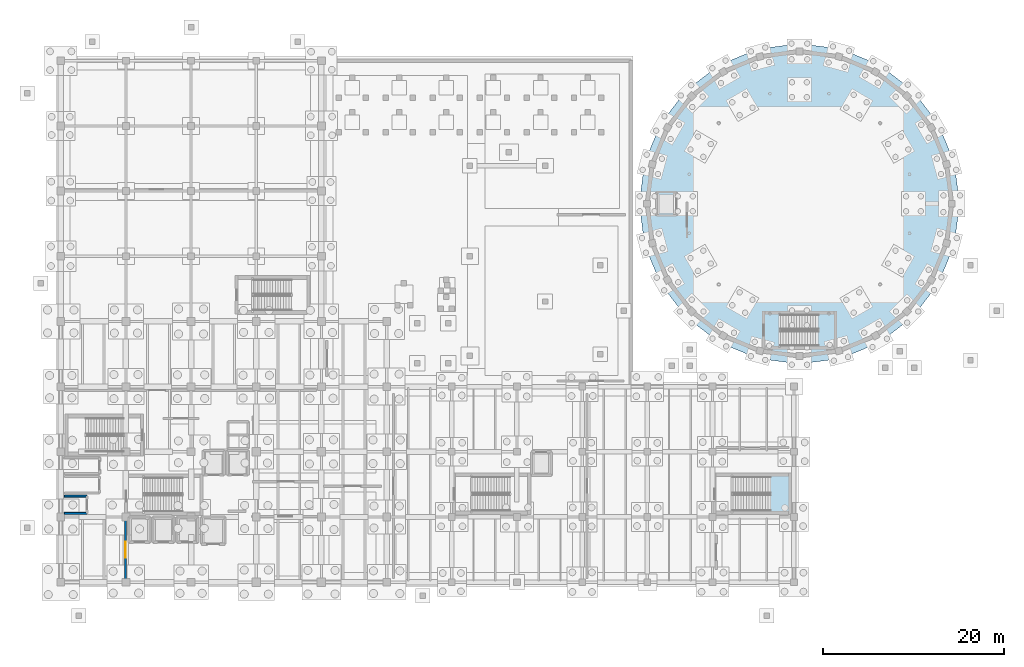
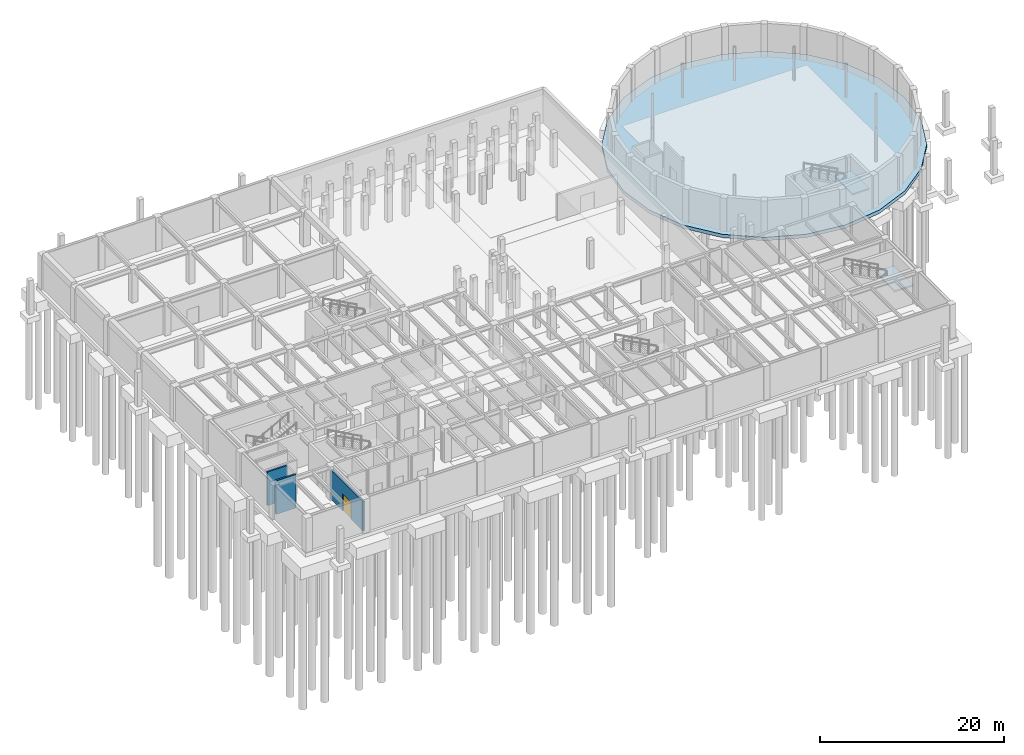
# One storey, part 12 of 26: 3 slabs, 3 walls, 1 door, 1 opening, 2 elements without a shape of their own.
"""IFC4 building model written with IfcOpenShell, lengths in metres."""

from ifc_helpers import new_model, si_unit, direction, frame, frame_2d, origin, place, context, subcontext, project, spatial, polyline, rectangle, outline, extrude, material, layer, layer_set, type_object, element, fill, aggregate, save


model = new_model("IFC4")

# Units and contexts
model_context = context("Model", 3, precision=1e-05, world=origin(), true_north=direction((0.0, 1.0)))
body_context = subcontext(model_context, "Body", "Model", "MODEL_VIEW")
ifc_project = project(units=[si_unit("LENGTHUNIT", "METRE"), si_unit("AREAUNIT", "SQUARE_METRE"), si_unit("VOLUMEUNIT", "CUBIC_METRE"), si_unit("PLANEANGLEUNIT", "RADIAN"), si_unit("MASSUNIT", "GRAM", prefix="KILO")], contexts=[model_context])

# Site, building, storey
site_placement = place(None, origin())
site = spatial("IfcSite", under=ifc_project, at=site_placement, CompositionType="ELEMENT")
building_placement = place(site_placement, origin())
building = spatial("IfcBuilding", under=site, at=building_placement, Name="Kandorven Conservatory and Botanical Research Centre", CompositionType="ELEMENT")
storey_placement = place(building_placement, frame((0.0, 0.0, -4.800048828125)))
storey = spatial("IfcBuildingStorey", under=building, at=storey_placement, Name="B01", CompositionType="ELEMENT", Elevation=-4.800048828125)

# Slab
ifc_material_1 = material(Name="Concrete C32/40 (M40)", Category="concrete")
ifc_layer_1 = layer(ifc_material_1, 0.449951171875)
ifc_layer_set_1 = layer_set([ifc_layer_1], Name="Concrete C32/40 (M40)")
slab_type_1 = type_object("IfcSlabType", Name="Slab_BS-03", PredefinedType="BASESLAB", material=ifc_layer_set_1)
slab_1_placement = place(storey_placement, frame((0.0, 0.0, -0.449951171875)))
element("IfcSlab", 1, at=slab_1_placement, inside=storey, type_object=slab_type_1, Name="Basement B01 conservatory drum base slab", PredefinedType="BASESLAB", context=body_context, shape_type="SweptSolid", body=[
    extrude(outline(polyline([(105.300048828125, 47.800048828125), (104.697021484375, 52.381103515625), (102.9287109375, 56.64990234375), (100.11572265625, 60.31591796875), (96.449951171875, 63.128662109375), (92.18115234375, 64.89697265625), (87.60009765625, 65.5), (83.018798828125, 64.89697265625), (78.75, 63.128662109375), (75.084228515625, 60.31591796875), (72.271484375, 56.64990234375), (70.503173828125, 52.381103515625), (69.89990234375, 47.800048828125), (70.503173828125, 43.218994140625), (72.271484375, 38.949951171875), (75.084228515625, 35.2841796875), (78.75, 32.471435546875), (83.018798828125, 30.703125), (87.60009765625, 30.10009765625), (92.18115234375, 30.703125), (96.449951171875, 32.471435546875), (100.11572265625, 35.2841796875), (102.9287109375, 38.949951171875), (104.697021484375, 43.218994140625), (105.300048828125, 47.800048828125)])), origin(), (0.0, 0.0, 1.0), 0.449951171875),
])

# Stair, slab
ifc_material_2 = material(Name="Concrete C32/40 (M40)", Category="concrete")
stair_type_1 = type_object("IfcStairType", Name="Stair_1820", PredefinedType="HALF_TURN_STAIR", material=ifc_material_2)
stair_1_placement = place(storey_placement, origin())
stair_1 = element("IfcStair", 2, at=stair_1_placement, inside=storey, type_object=stair_type_1, Name="B01 Visitor Wing Stair ST-V3B", PredefinedType="HALF_TURN_STAIR")
ifc_material_3 = material(Name="Concrete C32/40 (M40)", Category="concrete")
ifc_layer_2 = layer(ifc_material_3, 0.199951171875)
ifc_layer_set_2 = layer_set([ifc_layer_2], Name="Concrete C32/40 (M40)")
slab_type_2 = type_object("IfcSlabType", Name="StairLanding_200", PredefinedType="LANDING", material=ifc_layer_set_2)
slab_2_placement = place(storey_placement, frame((0.0, 0.0, 2.199951171875)))
slab_2 = element("IfcSlab", 3, at=slab_2_placement, type_object=slab_type_2, Name="ST-V3B landing 1", PredefinedType="LANDING", context=body_context, shape_type="SweptSolid", body=[
    extrude(outline(polyline([(84.259521484375, 13.610107421875), (86.6201171875, 13.610107421875), (86.6201171875, 17.8798828125), (84.259521484375, 17.8798828125), (84.259521484375, 13.610107421875)])), origin(), (0.0, 0.0, 1.0), 0.2001953125),
])
aggregate(stair_1, [slab_2])

ifc_material_4 = material(Name="Concrete C32/40 (M40)", Category="concrete")
stair_type_2 = type_object("IfcStairType", Name="Stair_1650", PredefinedType="HALF_TURN_STAIR", material=ifc_material_4)
stair_2_placement = place(storey_placement, origin())
stair_2 = element("IfcStair", 4, at=stair_2_placement, inside=storey, type_object=stair_type_2, Name="B01 Conservatory Canopy Stair ST-V1", PredefinedType="HALF_TURN_STAIR")
slab_3_placement = place(storey_placement, frame((0.0, 0.0, 2.199951171875)))
slab_3 = element("IfcSlab", 5, at=slab_3_placement, type_object=slab_type_2, Name="ST-V1 landing 1", PredefinedType="LANDING", context=body_context, shape_type="SweptSolid", body=[
    extrude(outline(polyline([(89.51953125, 31.860107421875), (91.639892578125, 31.860107421875), (91.639892578125, 35.7900390625), (89.51953125, 35.7900390625), (89.51953125, 31.860107421875)])), origin(), (0.0, 0.0, 1.0), 0.2001953125),
])
aggregate(stair_2, [slab_3])

# Wall, opening, door
ifc_material_5 = material(Name="Concrete C32/40 (M40)", Category="concrete")
ifc_layer_3 = layer(ifc_material_5, 0.25)
ifc_layer_set_3 = layer_set([ifc_layer_3], Name="Concrete C32/40 (M40)")
wall_type_1 = type_object("IfcWallType", Name="Wall_IW-FR-1", PredefinedType="SOLIDWALL", material=ifc_layer_set_3)
wall_placement = place(storey_placement, frame((13.14990234375, 6.050048828125, 0.0), z_axis=(0.0, 0.0, 1.0), x_axis=(0.0, 1.0, 0.0)))
wall = element("IfcWall", 6, at=wall_placement, inside=storey, type_object=wall_type_1, Name="Interior fire partition wall IW-FR-1 (Seed Bank Base Cold Vault (-18 C))", PredefinedType="SOLIDWALL", context=body_context, shape_type="SweptSolid", body=[
    extrude(rectangle(XDim=7.050048828125, YDim=0.25, at=frame_2d((3.52490234375, 0.0))), origin(), (0.0, 0.0, 1.0), 3.89013671875),
])
opening_placement = place(wall_placement, frame((2.625, 0.0, 0.0)))
opening = element("IfcOpeningElement", 7, at=opening_placement, cuts=wall, Name="Opening FD-4", PredefinedType="OPENING", context=body_context, shape_type="SweptSolid", body=[
    extrude(rectangle(XDim=1.800048828125, YDim=2.25, at=frame_2d((0.89990234375, 1.125))), frame((0.0, 0.135009765625, 0.0), z_axis=(0.0, -1.0, 0.0), x_axis=(1.0, 0.0, 0.0)), (0.0, 0.0, 1.0), 0.27001953125),
])
ifc_material_6 = material(Name="Galvanised hollow steel fire door assembly", Category="steel")
door_type = type_object("IfcDoorType", Name="Door_FD-4", OperationType="NOTDEFINED", PredefinedType="DOOR", material=ifc_material_6)
door_placement = place(opening_placement, origin())
door = element("IfcDoor", 8, at=door_placement, inside=storey, type_object=door_type, Name="Interior door FD-4 to Seed Bank Base Cold Vault (-18 C)", OperationType="DOUBLE_DOOR_SINGLE_SWING", OverallHeight=2.25, OverallWidth=1.800048828125, PredefinedType="DOOR", context=body_context, shape_type="SweptSolid", body=[
    extrude(rectangle(XDim=1.800048828125, YDim=2.25, at=frame_2d((0.89990234375, 1.125))), frame((0.0, 0.02490234375, 0.0), z_axis=(0.0, -1.0, 0.0), x_axis=(1.0, 0.0, 0.0)), (0.0, 0.0, 1.0), 0.050048828125),
])
fill(opening, door)

# Walls
ifc_material_7 = material(Name="Autoclaved aerated concrete blockwork masonry", Category="masonry")
ifc_layer_4 = layer(ifc_material_7, 0.205078125)
ifc_layer_set_4 = layer_set([ifc_layer_4], Name="Autoclaved aerated concrete blockwork masonry")
wall_type_2 = type_object("IfcWallType", Name="Wall_PW-PL-2", PredefinedType="PLUMBINGWALL", material=ifc_layer_set_4)
for number, where, z_axis, x_axis, name in (
    (9, (6.39990234375, 13.60009765625, 0.0), (0.0, 0.0, 1.0), (1.0, 0.0, 0.0), "Sanitary enclosure wall PW-PL-2 (Accessible WC B01 S)"),
    (10, (6.39990234375, 15.5, 0.0), (0.0, 0.0, 1.0), (1.0, 0.0, 0.0), "Sanitary enclosure wall PW-PL-2 (Accessible WC B01 N)"),
):
    element("IfcWall", number, at=place(storey_placement, frame(where, z_axis=z_axis, x_axis=x_axis)), inside=storey, type_object=wall_type_2, Name=name, PredefinedType="PLUMBINGWALL", context=body_context, shape_type="SweptSolid", body=[
        extrude(rectangle(XDim=2.5, YDim=0.205078125, at=frame_2d((1.25, 0.0))), origin(), (0.0, 0.0, 1.0), 4.47998046875),
    ])

save(model, "model.ifc")
